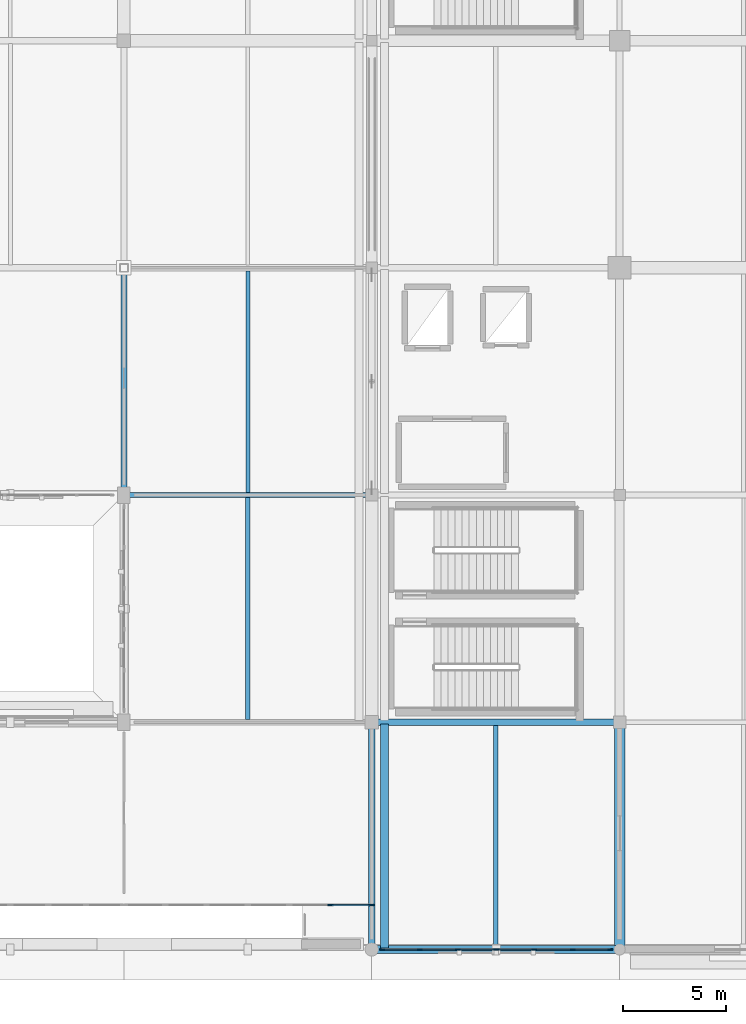
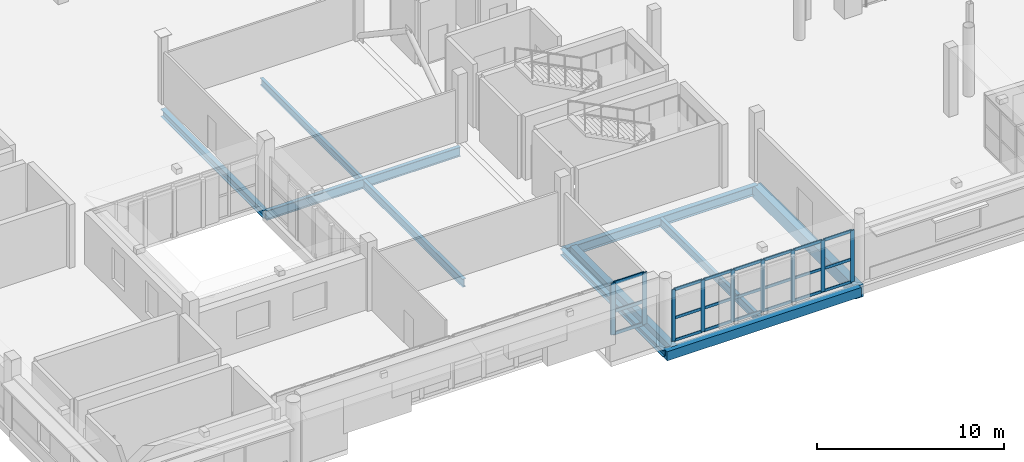
# One storey, part 26 of 118: 30 members, 10 beams, 2 elements without a shape of their own.
"""IFC4 building model written with IfcOpenShell, lengths in metres."""

from ifc_helpers import new_model, si_unit, direction, frame, origin, origin_2d, place, context, subcontext, project, spatial, rectangle, i_section, extrude, material, material_profile, profile_set, type_object, element, aggregate, save


model = new_model("IFC4")

# Units and contexts
model_context = context("Model", 3, precision=1e-05, world=origin(), true_north=direction((0.0, 1.0)))
body_context = subcontext(model_context, "Body", "Model", "MODEL_VIEW")
ifc_project = project(units=[si_unit("LENGTHUNIT", "METRE"), si_unit("AREAUNIT", "SQUARE_METRE"), si_unit("VOLUMEUNIT", "CUBIC_METRE"), si_unit("PLANEANGLEUNIT", "RADIAN"), si_unit("MASSUNIT", "GRAM", prefix="KILO")], contexts=[model_context])

# Site, building, storey
site_placement = place(None, origin())
site = spatial("IfcSite", under=ifc_project, at=site_placement, CompositionType="ELEMENT")
building_placement = place(site_placement, origin())
building = spatial("IfcBuilding", under=site, at=building_placement, Name="Luwafu Chhajja Arena", CompositionType="ELEMENT")
storey_placement = place(building_placement, frame((0.0, 0.0, 10.199951171875)))
storey = spatial("IfcBuildingStorey", under=building, at=storey_placement, Name="L02", CompositionType="ELEMENT", Elevation=10.199951171875)

# Curtain wall, members
ifc_material_1 = material(Name="Anodised bronze aluminium", Category="aluminium")
curtain_wall_type_1 = type_object("IfcCurtainWallType", Name="Media Ribbon Curtain Wall", PredefinedType="USERDEFINED", material=ifc_material_1)
curtain_wall_1_placement = place(storey_placement, origin())
curtain_wall_1 = element("IfcCurtainWall", 1, at=curtain_wall_1_placement, inside=storey, type_object=curtain_wall_type_1, Name="L02 Curtain Wall CWG-L02-H03_00", ObjectType="CURTAIN WALL", PredefinedType="USERDEFINED")
ifc_material_profile_1 = material_profile(ifc_material_1, rectangle(XDim=0.070068359375, YDim=0.239990234375, at=origin_2d()), Name="CWM 70x240")
ifc_profile_set_1 = profile_set([ifc_material_profile_1], Name="Anodised bronze aluminium")
member_type_1 = type_object("IfcMemberType", Name="Bronze Curtain Wall Mullion 70x240", PredefinedType="MULLION", material=ifc_profile_set_1)
member_1_placement = place(storey_placement, frame((34.5, 0.0, 0.030029296875), z_axis=(0.0, 0.0, 1.0), x_axis=(0.0, 1.0, 0.0)))
member_1 = element("IfcMember", 2, at=member_1_placement, type_object=member_type_1, Name="CW-03 mullion 1", PredefinedType="MULLION", context=body_context, shape_type="SweptSolid", body=[
    extrude(rectangle(XDim=0.070068359375, YDim=0.239990234375, at=origin_2d()), origin(), (0.0, 0.0, 1.0), 3.375),
])
member_2_placement = place(storey_placement, frame((36.318359375, 0.0, 0.030029296875), z_axis=(0.0, 0.0, 1.0), x_axis=(0.0, 1.0, 0.0)))
member_2 = element("IfcMember", 3, at=member_2_placement, type_object=member_type_1, Name="CW-03 mullion 2", PredefinedType="MULLION", context=body_context, shape_type="SweptSolid", body=[
    extrude(rectangle(XDim=0.070068359375, YDim=0.239990234375, at=origin_2d()), origin(), (0.0, 0.0, 1.0), 3.375),
])
member_3_placement = place(storey_placement, frame((38.171630859375, 0.0, 0.030029296875), z_axis=(0.0, 0.0, 1.0), x_axis=(0.0, 1.0, 0.0)))
member_3 = element("IfcMember", 4, at=member_3_placement, type_object=member_type_1, Name="CW-03 mullion 3", PredefinedType="MULLION", context=body_context, shape_type="SweptSolid", body=[
    extrude(rectangle(XDim=0.070068359375, YDim=0.239990234375, at=origin_2d()), origin(), (0.0, 0.0, 1.0), 3.375),
])
member_4_placement = place(storey_placement, frame((40.02490234375, 0.0, 0.030029296875), z_axis=(0.0, 0.0, 1.0), x_axis=(0.0, 1.0, 0.0)))
member_4 = element("IfcMember", 5, at=member_4_placement, type_object=member_type_1, Name="CW-03 mullion 4", PredefinedType="MULLION", context=body_context, shape_type="SweptSolid", body=[
    extrude(rectangle(XDim=0.070068359375, YDim=0.239990234375, at=origin_2d()), origin(), (0.0, 0.0, 1.0), 3.375),
])
member_5_placement = place(storey_placement, frame((41.87841796875, 0.0, 0.030029296875), z_axis=(0.0, 0.0, 1.0), x_axis=(0.0, 1.0, 0.0)))
member_5 = element("IfcMember", 6, at=member_5_placement, type_object=member_type_1, Name="CW-03 mullion 5", PredefinedType="MULLION", context=body_context, shape_type="SweptSolid", body=[
    extrude(rectangle(XDim=0.070068359375, YDim=0.239990234375, at=origin_2d()), origin(), (0.0, 0.0, 1.0), 3.375),
])
member_6_placement = place(storey_placement, frame((43.731689453125, 0.0, 0.030029296875), z_axis=(0.0, 0.0, 1.0), x_axis=(0.0, 1.0, 0.0)))
member_6 = element("IfcMember", 7, at=member_6_placement, type_object=member_type_1, Name="CW-03 mullion 6", PredefinedType="MULLION", context=body_context, shape_type="SweptSolid", body=[
    extrude(rectangle(XDim=0.070068359375, YDim=0.239990234375, at=origin_2d()), origin(), (0.0, 0.0, 1.0), 3.375),
])
member_7_placement = place(storey_placement, frame((45.550048828125, 0.0, 0.030029296875), z_axis=(0.0, 0.0, 1.0), x_axis=(0.0, 1.0, 0.0)))
member_7 = element("IfcMember", 8, at=member_7_placement, type_object=member_type_1, Name="CW-03 mullion 7", PredefinedType="MULLION", context=body_context, shape_type="SweptSolid", body=[
    extrude(rectangle(XDim=0.070068359375, YDim=0.239990234375, at=origin_2d()), origin(), (0.0, 0.0, 1.0), 3.375),
])
ifc_material_profile_2 = material_profile(ifc_material_1, rectangle(XDim=0.070068359375, YDim=0.179931640625, at=origin_2d()), Name="CWT 70x180")
ifc_profile_set_2 = profile_set([ifc_material_profile_2], Name="Anodised bronze aluminium")
member_type_2 = type_object("IfcMemberType", Name="Bronze Curtain Wall Transom 70x180", PredefinedType="USERDEFINED", material=ifc_profile_set_2)
member_8_placement = place(storey_placement, frame((34.534912109375, 0.0, 0.06494140625), z_axis=(1.0, 0.0, 0.0), x_axis=(0.0, 1.0, 0.0)))
member_8 = element("IfcMember", 9, at=member_8_placement, type_object=member_type_2, Name="CW-03 transom 1.1", ObjectType="TRANSOM", PredefinedType="USERDEFINED", context=body_context, shape_type="SweptSolid", body=[
    extrude(rectangle(XDim=0.070068359375, YDim=0.179931640625, at=origin_2d()), origin(), (0.0, 0.0, 1.0), 1.74853515625),
])
member_9_placement = place(storey_placement, frame((34.534912109375, 0.0, 1.532470703125), z_axis=(1.0, 0.0, 0.0), x_axis=(0.0, 1.0, 0.0)))
member_9 = element("IfcMember", 10, at=member_9_placement, type_object=member_type_2, Name="CW-03 transom 1.2", ObjectType="TRANSOM", PredefinedType="USERDEFINED", context=body_context, shape_type="SweptSolid", body=[
    extrude(rectangle(XDim=0.070068359375, YDim=0.179931640625, at=origin_2d()), origin(), (0.0, 0.0, 1.0), 1.74853515625),
])
member_10_placement = place(storey_placement, frame((34.534912109375, 0.0, 3.3701171875), z_axis=(1.0, 0.0, 0.0), x_axis=(0.0, 1.0, 0.0)))
member_10 = element("IfcMember", 11, at=member_10_placement, type_object=member_type_2, Name="CW-03 transom 1.3", ObjectType="TRANSOM", PredefinedType="USERDEFINED", context=body_context, shape_type="SweptSolid", body=[
    extrude(rectangle(XDim=0.070068359375, YDim=0.179931640625, at=origin_2d()), origin(), (0.0, 0.0, 1.0), 1.74853515625),
])
member_11_placement = place(storey_placement, frame((36.353271484375, 0.0, 0.06494140625), z_axis=(1.0, 0.0, 0.0), x_axis=(0.0, 1.0, 0.0)))
member_11 = element("IfcMember", 12, at=member_11_placement, type_object=member_type_2, Name="CW-03 transom 2.1", ObjectType="TRANSOM", PredefinedType="USERDEFINED", context=body_context, shape_type="SweptSolid", body=[
    extrude(rectangle(XDim=0.070068359375, YDim=0.179931640625, at=origin_2d()), origin(), (0.0, 0.0, 1.0), 1.783447265625),
])
member_12_placement = place(storey_placement, frame((36.353271484375, 0.0, 1.532470703125), z_axis=(1.0, 0.0, 0.0), x_axis=(0.0, 1.0, 0.0)))
member_12 = element("IfcMember", 13, at=member_12_placement, type_object=member_type_2, Name="CW-03 transom 2.2", ObjectType="TRANSOM", PredefinedType="USERDEFINED", context=body_context, shape_type="SweptSolid", body=[
    extrude(rectangle(XDim=0.070068359375, YDim=0.179931640625, at=origin_2d()), origin(), (0.0, 0.0, 1.0), 1.783447265625),
])
member_13_placement = place(storey_placement, frame((36.353271484375, 0.0, 3.3701171875), z_axis=(1.0, 0.0, 0.0), x_axis=(0.0, 1.0, 0.0)))
member_13 = element("IfcMember", 14, at=member_13_placement, type_object=member_type_2, Name="CW-03 transom 2.3", ObjectType="TRANSOM", PredefinedType="USERDEFINED", context=body_context, shape_type="SweptSolid", body=[
    extrude(rectangle(XDim=0.070068359375, YDim=0.179931640625, at=origin_2d()), origin(), (0.0, 0.0, 1.0), 1.783447265625),
])
member_14_placement = place(storey_placement, frame((38.206787109375, 0.0, 0.06494140625), z_axis=(1.0, 0.0, 0.0), x_axis=(0.0, 1.0, 0.0)))
member_14 = element("IfcMember", 15, at=member_14_placement, type_object=member_type_2, Name="CW-03 transom 3.1", ObjectType="TRANSOM", PredefinedType="USERDEFINED", context=body_context, shape_type="SweptSolid", body=[
    extrude(rectangle(XDim=0.070068359375, YDim=0.179931640625, at=origin_2d()), origin(), (0.0, 0.0, 1.0), 1.783203125),
])
member_15_placement = place(storey_placement, frame((38.206787109375, 0.0, 1.532470703125), z_axis=(1.0, 0.0, 0.0), x_axis=(0.0, 1.0, 0.0)))
member_15 = element("IfcMember", 16, at=member_15_placement, type_object=member_type_2, Name="CW-03 transom 3.2", ObjectType="TRANSOM", PredefinedType="USERDEFINED", context=body_context, shape_type="SweptSolid", body=[
    extrude(rectangle(XDim=0.070068359375, YDim=0.179931640625, at=origin_2d()), origin(), (0.0, 0.0, 1.0), 1.783203125),
])
member_16_placement = place(storey_placement, frame((38.206787109375, 0.0, 3.3701171875), z_axis=(1.0, 0.0, 0.0), x_axis=(0.0, 1.0, 0.0)))
member_16 = element("IfcMember", 17, at=member_16_placement, type_object=member_type_2, Name="CW-03 transom 3.3", ObjectType="TRANSOM", PredefinedType="USERDEFINED", context=body_context, shape_type="SweptSolid", body=[
    extrude(rectangle(XDim=0.070068359375, YDim=0.179931640625, at=origin_2d()), origin(), (0.0, 0.0, 1.0), 1.783203125),
])
member_17_placement = place(storey_placement, frame((40.06005859375, 0.0, 0.06494140625), z_axis=(1.0, 0.0, 0.0), x_axis=(0.0, 1.0, 0.0)))
member_17 = element("IfcMember", 18, at=member_17_placement, type_object=member_type_2, Name="CW-03 transom 4.1", ObjectType="TRANSOM", PredefinedType="USERDEFINED", context=body_context, shape_type="SweptSolid", body=[
    extrude(rectangle(XDim=0.070068359375, YDim=0.179931640625, at=origin_2d()), origin(), (0.0, 0.0, 1.0), 1.783203125),
])
member_18_placement = place(storey_placement, frame((40.06005859375, 0.0, 1.532470703125), z_axis=(1.0, 0.0, 0.0), x_axis=(0.0, 1.0, 0.0)))
member_18 = element("IfcMember", 19, at=member_18_placement, type_object=member_type_2, Name="CW-03 transom 4.2", ObjectType="TRANSOM", PredefinedType="USERDEFINED", context=body_context, shape_type="SweptSolid", body=[
    extrude(rectangle(XDim=0.070068359375, YDim=0.179931640625, at=origin_2d()), origin(), (0.0, 0.0, 1.0), 1.783203125),
])
member_19_placement = place(storey_placement, frame((40.06005859375, 0.0, 3.3701171875), z_axis=(1.0, 0.0, 0.0), x_axis=(0.0, 1.0, 0.0)))
member_19 = element("IfcMember", 20, at=member_19_placement, type_object=member_type_2, Name="CW-03 transom 4.3", ObjectType="TRANSOM", PredefinedType="USERDEFINED", context=body_context, shape_type="SweptSolid", body=[
    extrude(rectangle(XDim=0.070068359375, YDim=0.179931640625, at=origin_2d()), origin(), (0.0, 0.0, 1.0), 1.783203125),
])
member_20_placement = place(storey_placement, frame((41.913330078125, 0.0, 0.06494140625), z_axis=(1.0, 0.0, 0.0), x_axis=(0.0, 1.0, 0.0)))
member_20 = element("IfcMember", 21, at=member_20_placement, type_object=member_type_2, Name="CW-03 transom 5.1", ObjectType="TRANSOM", PredefinedType="USERDEFINED", context=body_context, shape_type="SweptSolid", body=[
    extrude(rectangle(XDim=0.070068359375, YDim=0.179931640625, at=origin_2d()), origin(), (0.0, 0.0, 1.0), 1.783447265625),
])
member_21_placement = place(storey_placement, frame((41.913330078125, 0.0, 1.532470703125), z_axis=(1.0, 0.0, 0.0), x_axis=(0.0, 1.0, 0.0)))
member_21 = element("IfcMember", 22, at=member_21_placement, type_object=member_type_2, Name="CW-03 transom 5.2", ObjectType="TRANSOM", PredefinedType="USERDEFINED", context=body_context, shape_type="SweptSolid", body=[
    extrude(rectangle(XDim=0.070068359375, YDim=0.179931640625, at=origin_2d()), origin(), (0.0, 0.0, 1.0), 1.783447265625),
])
member_22_placement = place(storey_placement, frame((41.913330078125, 0.0, 3.3701171875), z_axis=(1.0, 0.0, 0.0), x_axis=(0.0, 1.0, 0.0)))
member_22 = element("IfcMember", 23, at=member_22_placement, type_object=member_type_2, Name="CW-03 transom 5.3", ObjectType="TRANSOM", PredefinedType="USERDEFINED", context=body_context, shape_type="SweptSolid", body=[
    extrude(rectangle(XDim=0.070068359375, YDim=0.179931640625, at=origin_2d()), origin(), (0.0, 0.0, 1.0), 1.783447265625),
])
member_23_placement = place(storey_placement, frame((43.7666015625, 0.0, 0.06494140625), z_axis=(1.0, 0.0, 0.0), x_axis=(0.0, 1.0, 0.0)))
member_23 = element("IfcMember", 24, at=member_23_placement, type_object=member_type_2, Name="CW-03 transom 6.1", ObjectType="TRANSOM", PredefinedType="USERDEFINED", context=body_context, shape_type="SweptSolid", body=[
    extrude(rectangle(XDim=0.070068359375, YDim=0.179931640625, at=origin_2d()), origin(), (0.0, 0.0, 1.0), 1.748291015625),
])
member_24_placement = place(storey_placement, frame((43.7666015625, 0.0, 1.532470703125), z_axis=(1.0, 0.0, 0.0), x_axis=(0.0, 1.0, 0.0)))
member_24 = element("IfcMember", 25, at=member_24_placement, type_object=member_type_2, Name="CW-03 transom 6.2", ObjectType="TRANSOM", PredefinedType="USERDEFINED", context=body_context, shape_type="SweptSolid", body=[
    extrude(rectangle(XDim=0.070068359375, YDim=0.179931640625, at=origin_2d()), origin(), (0.0, 0.0, 1.0), 1.748291015625),
])
member_25_placement = place(storey_placement, frame((43.7666015625, 0.0, 3.3701171875), z_axis=(1.0, 0.0, 0.0), x_axis=(0.0, 1.0, 0.0)))
member_25 = element("IfcMember", 26, at=member_25_placement, type_object=member_type_2, Name="CW-03 transom 6.3", ObjectType="TRANSOM", PredefinedType="USERDEFINED", context=body_context, shape_type="SweptSolid", body=[
    extrude(rectangle(XDim=0.070068359375, YDim=0.179931640625, at=origin_2d()), origin(), (0.0, 0.0, 1.0), 1.748291015625),
])
aggregate(curtain_wall_1, [member_1, member_2, member_3, member_4, member_5, member_6, member_7, member_8, member_9, member_10, member_11, member_12, member_13, member_14, member_15, member_16, member_17, member_18, member_19, member_20, member_21, member_22, member_23, member_24, member_25])

# Beams
ifc_material_2 = material(Name="Steel S355", Category="steel")
ifc_material_profile_3 = material_profile(ifc_material_2, i_section(OverallWidth=0.19140625, OverallDepth=0.4599609375, WebThickness=0.010009765625, FlangeThickness=0.01611328125, at=origin_2d()), Name="UB 457x191x82")
ifc_profile_set_3 = profile_set([ifc_material_profile_3], Name="Steel S355")
beam_type_1 = type_object("IfcBeamType", Name="Floor Joist UB 457x191x82", PredefinedType="JOIST", material=ifc_profile_set_3)
beam_1_placement = place(storey_placement, frame((28.0, 22.114501953125, -0.619873046875), z_axis=(0.0, 1.0, 0.0), x_axis=(-1.0, 0.0, 0.0)))
element("IfcBeam", 27, at=beam_1_placement, inside=storey, type_object=beam_type_1, Name="L02 Secondary Joist 3-4/C", PredefinedType="JOIST", context=body_context, shape_type="SweptSolid", body=[
    extrude(i_section(OverallWidth=0.19140625, OverallDepth=0.4599609375, WebThickness=0.010009765625, FlangeThickness=0.01611328125, at=origin_2d()), origin(), (0.0, 0.0, 1.0), 10.735595703125),
])
ifc_material_profile_4 = material_profile(ifc_material_2, i_section(OverallWidth=0.209228515625, OverallDepth=0.533203125, WebThickness=0.010009765625, FlangeThickness=0.015625, at=origin_2d()), Name="UB 533x210x92")
ifc_profile_set_4 = profile_set([ifc_material_profile_4], Name="Steel S355")
beam_type_2 = type_object("IfcBeamType", Name="Floor Joist UB 533x210x92", PredefinedType="JOIST", material=ifc_profile_set_4)
beam_2_placement = place(storey_placement, frame((28.0, 11.126708984375, -0.656494140625), z_axis=(0.0, 1.0, 0.0), x_axis=(-1.0, 0.0, 0.0)))
element("IfcBeam", 28, at=beam_2_placement, inside=storey, type_object=beam_type_2, Name="L02 Secondary Joist 3-4/B", PredefinedType="JOIST", context=body_context, shape_type="SweptSolid", body=[
    extrude(i_section(OverallWidth=0.209228515625, OverallDepth=0.533203125, WebThickness=0.010009765625, FlangeThickness=0.015625, at=origin_2d()), origin(), (0.0, 0.0, 1.0), 10.7587890625),
])
beam_3_placement = place(storey_placement, frame((40.0, 0.199951171875, -0.656494140625), z_axis=(0.0, 1.0, 0.0), x_axis=(-1.0, 0.0, 0.0)))
element("IfcBeam", 29, at=beam_3_placement, inside=storey, type_object=beam_type_2, Name="L02 Secondary Joist 4-5/A", PredefinedType="JOIST", context=body_context, shape_type="SweptSolid", body=[
    extrude(i_section(OverallWidth=0.209228515625, OverallDepth=0.533203125, WebThickness=0.010009765625, FlangeThickness=0.015625, at=origin_2d()), origin(), (0.0, 0.0, 1.0), 10.646484375),
])
ifc_material_3 = material(Name="Concrete C35/45", Category="concrete")
ifc_material_profile_5 = material_profile(ifc_material_3, rectangle(XDim=0.5, YDim=0.800048828125, at=origin_2d()), Name="RC 500x800")
ifc_profile_set_5 = profile_set([ifc_material_profile_5], Name="Concrete C35/45")
beam_type_3 = type_object("IfcBeamType", Name="Hospitality Primary Beam RC 500x800", PredefinedType="BEAM", material=ifc_profile_set_5)
beam_4_placement = place(storey_placement, frame((46.0, 0.0, -0.7900390625), z_axis=(0.0, 1.0, 0.0), x_axis=(-1.0, 0.0, 0.0)))
element("IfcBeam", 30, at=beam_4_placement, inside=storey, type_object=beam_type_3, Name="L02 Grid Beam 5/A-B", PredefinedType="BEAM", context=body_context, shape_type="SweptSolid", body=[
    extrude(rectangle(XDim=0.5, YDim=0.800048828125, at=origin_2d()), origin(), (0.0, 0.0, 1.0), 11.0),
])

# Curtain wall, members
curtain_wall_type_2 = type_object("IfcCurtainWallType", Name="Pishtaq Monumental Portal Curtain Wall", PredefinedType="USERDEFINED", material=ifc_material_1)
curtain_wall_2_placement = place(storey_placement, origin())
curtain_wall_2 = element("IfcCurtainWall", 31, at=curtain_wall_2_placement, inside=storey, type_object=curtain_wall_type_2, Name="L02 Curtain Wall CWG-L02-H02_00", ObjectType="CURTAIN WALL", PredefinedType="USERDEFINED")
ifc_material_profile_6 = material_profile(ifc_material_1, rectangle(XDim=0.080078125, YDim=0.280029296875, at=origin_2d()), Name="CWM 80x280")
ifc_profile_set_6 = profile_set([ifc_material_profile_6], Name="Anodised bronze aluminium")
member_type_3 = type_object("IfcMemberType", Name="Pishtaq Portal Mullion 80x280", PredefinedType="MULLION", material=ifc_profile_set_6)
member_26_placement = place(storey_placement, frame((32.0, 2.14990234375, 0.030029296875), z_axis=(0.0, 0.0, 1.0), x_axis=(0.0, 1.0, 0.0)))
member_26 = element("IfcMember", 32, at=member_26_placement, type_object=member_type_3, Name="CW-04 mullion 6", PredefinedType="MULLION", context=body_context, shape_type="SweptSolid", body=[
    extrude(rectangle(XDim=0.080078125, YDim=0.280029296875, at=origin_2d()), origin(), (0.0, 0.0, 1.0), 3.375),
])
member_27_placement = place(storey_placement, frame((33.9599609375, 2.14990234375, 0.030029296875), z_axis=(0.0, 0.0, 1.0), x_axis=(0.0, 1.0, 0.0)))
member_27 = element("IfcMember", 33, at=member_27_placement, type_object=member_type_3, Name="CW-04 mullion 7", PredefinedType="MULLION", context=body_context, shape_type="SweptSolid", body=[
    extrude(rectangle(XDim=0.080078125, YDim=0.280029296875, at=origin_2d()), origin(), (0.0, 0.0, 1.0), 3.375),
])
ifc_material_profile_7 = material_profile(ifc_material_1, rectangle(XDim=0.080078125, YDim=0.2099609375, at=origin_2d()), Name="CWT 80x210")
ifc_profile_set_7 = profile_set([ifc_material_profile_7], Name="Anodised bronze aluminium")
member_type_4 = type_object("IfcMemberType", Name="Pishtaq Portal Transom 80x210", PredefinedType="USERDEFINED", material=ifc_profile_set_7)
member_28_placement = place(storey_placement, frame((32.0400390625, 2.14990234375, 0.070068359375), z_axis=(1.0, 0.0, 0.0), x_axis=(0.0, 1.0, 0.0)))
member_28 = element("IfcMember", 34, at=member_28_placement, type_object=member_type_4, Name="CW-04 transom 6.1", ObjectType="TRANSOM", PredefinedType="USERDEFINED", context=body_context, shape_type="SweptSolid", body=[
    extrude(rectangle(XDim=0.080078125, YDim=0.2099609375, at=origin_2d()), origin(), (0.0, 0.0, 1.0), 1.8798828125),
])
member_29_placement = place(storey_placement, frame((32.0400390625, 2.14990234375, 1.532470703125), z_axis=(1.0, 0.0, 0.0), x_axis=(0.0, 1.0, 0.0)))
member_29 = element("IfcMember", 35, at=member_29_placement, type_object=member_type_4, Name="CW-04 transom 6.2", ObjectType="TRANSOM", PredefinedType="USERDEFINED", context=body_context, shape_type="SweptSolid", body=[
    extrude(rectangle(XDim=0.080078125, YDim=0.2099609375, at=origin_2d()), origin(), (0.0, 0.0, 1.0), 1.8798828125),
])
member_30_placement = place(storey_placement, frame((32.0400390625, 2.14990234375, 3.364990234375), z_axis=(1.0, 0.0, 0.0), x_axis=(0.0, 1.0, 0.0)))
member_30 = element("IfcMember", 36, at=member_30_placement, type_object=member_type_4, Name="CW-04 transom 6.3", ObjectType="TRANSOM", PredefinedType="USERDEFINED", context=body_context, shape_type="SweptSolid", body=[
    extrude(rectangle(XDim=0.080078125, YDim=0.2099609375, at=origin_2d()), origin(), (0.0, 0.0, 1.0), 1.8798828125),
])
aggregate(curtain_wall_2, [member_26, member_27, member_28, member_29, member_30])

# Beams
ifc_material_profile_8 = material_profile(ifc_material_3, rectangle(XDim=0.39990234375, YDim=0.60009765625, at=origin_2d()), Name="RC 400x600")
ifc_profile_set_8 = profile_set([ifc_material_profile_8], Name="Concrete C35/45")
beam_type_4 = type_object("IfcBeamType", Name="Podium Perimeter Spandrel RC 400x600", PredefinedType="SPANDREL", material=ifc_profile_set_8)
beam_5_placement = place(storey_placement, frame((34.0, 0.0, -0.68994140625), z_axis=(1.0, 0.0, 0.0), x_axis=(0.0, 1.0, 0.0)))
element("IfcBeam", 37, at=beam_5_placement, inside=storey, type_object=beam_type_4, Name="L02 Grid Beam 4-5/A", PredefinedType="SPANDREL", context=body_context, shape_type="SweptSolid", body=[
    extrude(rectangle(XDim=0.39990234375, YDim=0.60009765625, at=origin_2d()), origin(), (0.0, 0.0, 1.0), 12.0),
])
beam_6_placement = place(storey_placement, frame((34.6201171875, 0.080078125, -0.68994140625), z_axis=(0.0, 1.0, 0.0), x_axis=(-1.0, 0.0, 0.0)))
element("IfcBeam", 38, at=beam_6_placement, inside=storey, type_object=beam_type_4, Name="L02 Movement Joint MJ1E Seat Girder 00", PredefinedType="SPANDREL", context=body_context, shape_type="SweptSolid", body=[
    extrude(rectangle(XDim=0.39990234375, YDim=0.60009765625, at=origin_2d()), origin(), (0.0, 0.0, 1.0), 10.83984375),
])
ifc_material_profile_9 = material_profile(ifc_material_2, i_section(OverallWidth=0.300048828125, OverallDepth=0.5, WebThickness=0.014404296875, FlangeThickness=0.028076171875, at=origin_2d()), Name="HEB 500")
ifc_profile_set_9 = profile_set([ifc_material_profile_9], Name="Steel S355")
beam_type_5 = type_object("IfcBeamType", Name="Steel Atrium Tie Girder HEB 500", PredefinedType="BEAM", material=ifc_profile_set_9)
beam_7_placement = place(storey_placement, frame((22.0, 22.0, -0.639892578125), z_axis=(0.0, 1.0, 0.0), x_axis=(-1.0, 0.0, 0.0)))
element("IfcBeam", 39, at=beam_7_placement, inside=storey, type_object=beam_type_5, Name="L02 Grid Beam 3/C-D", PredefinedType="BEAM", context=body_context, shape_type="SweptSolid", body=[
    extrude(i_section(OverallWidth=0.300048828125, OverallDepth=0.5, WebThickness=0.014404296875, FlangeThickness=0.028076171875, at=origin_2d()), origin(), (0.0, 0.0, 1.0), 11.0),
])
ifc_material_profile_10 = material_profile(ifc_material_2, i_section(OverallWidth=0.30712890625, OverallDepth=0.6201171875, WebThickness=0.01416015625, FlangeThickness=0.023681640625, at=origin_2d()), Name="UB 610x305x179")
ifc_profile_set_10 = profile_set([ifc_material_profile_10], Name="Steel S355")
beam_type_6 = type_object("IfcBeamType", Name="Steel Hospitality Girder UB 610x305x179", PredefinedType="BEAM", material=ifc_profile_set_10)
beam_8_placement = place(storey_placement, frame((34.0, 11.0, -0.699951171875), z_axis=(1.0, 0.0, 0.0), x_axis=(0.0, 1.0, 0.0)))
element("IfcBeam", 40, at=beam_8_placement, inside=storey, type_object=beam_type_6, Name="L02 Grid Beam 4-5/B", PredefinedType="BEAM", context=body_context, shape_type="SweptSolid", body=[
    extrude(i_section(OverallWidth=0.30712890625, OverallDepth=0.6201171875, WebThickness=0.01416015625, FlangeThickness=0.023681640625, at=origin_2d()), origin(), (0.0, 0.0, 1.0), 12.0),
])
ifc_material_profile_11 = material_profile(ifc_material_2, i_section(OverallWidth=0.22900390625, OverallDepth=0.6123046875, WebThickness=0.011962890625, FlangeThickness=0.01953125, at=origin_2d()), Name="UB 610x229x125")
ifc_profile_set_11 = profile_set([ifc_material_profile_11], Name="Steel S355")
beam_type_7 = type_object("IfcBeamType", Name="Steel Mezzanine Girder UB 610x229x125", PredefinedType="BEAM", material=ifc_profile_set_11)
beam_9_placement = place(storey_placement, frame((22.0, 22.0, -0.696044921875), z_axis=(1.0, 0.0, 0.0), x_axis=(0.0, 1.0, 0.0)))
element("IfcBeam", 41, at=beam_9_placement, inside=storey, type_object=beam_type_7, Name="L02 Grid Beam 3-4/C", PredefinedType="BEAM", context=body_context, shape_type="SweptSolid", body=[
    extrude(i_section(OverallWidth=0.22900390625, OverallDepth=0.6123046875, WebThickness=0.011962890625, FlangeThickness=0.01953125, at=origin_2d()), origin(), (0.0, 0.0, 1.0), 12.0),
])
ifc_material_profile_12 = material_profile(ifc_material_2, i_section(OverallWidth=0.300048828125, OverallDepth=0.39990234375, WebThickness=0.013427734375, FlangeThickness=0.02392578125, at=origin_2d()), Name="HEB 400")
ifc_profile_set_12 = profile_set([ifc_material_profile_12], Name="Steel S355")
beam_type_8 = type_object("IfcBeamType", Name="Steel Rigging Grid Beam HEB 400", PredefinedType="BEAM", material=ifc_profile_set_12)
beam_10_placement = place(storey_placement, frame((34.0, 0.0, -0.58984375), z_axis=(0.0, 1.0, 0.0), x_axis=(-1.0, 0.0, 0.0)))
element("IfcBeam", 42, at=beam_10_placement, inside=storey, type_object=beam_type_8, Name="L02 Grid Beam 4/A-B", PredefinedType="BEAM", context=body_context, shape_type="SweptSolid", body=[
    extrude(i_section(OverallWidth=0.300048828125, OverallDepth=0.39990234375, WebThickness=0.013427734375, FlangeThickness=0.02392578125, at=origin_2d()), origin(), (0.0, 0.0, 1.0), 11.0),
])

save(model, "model.ifc")
